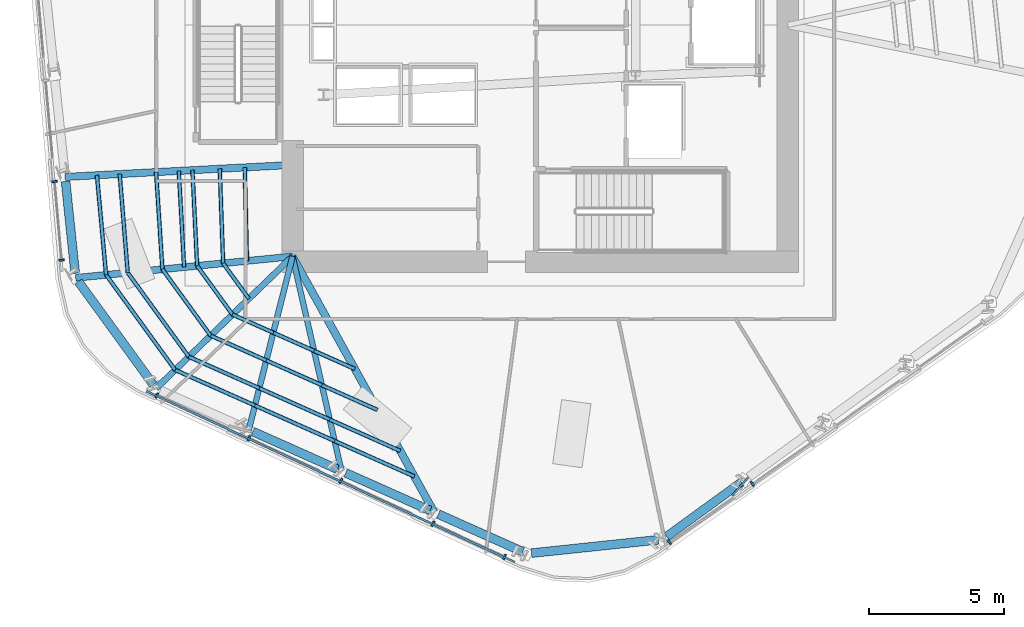
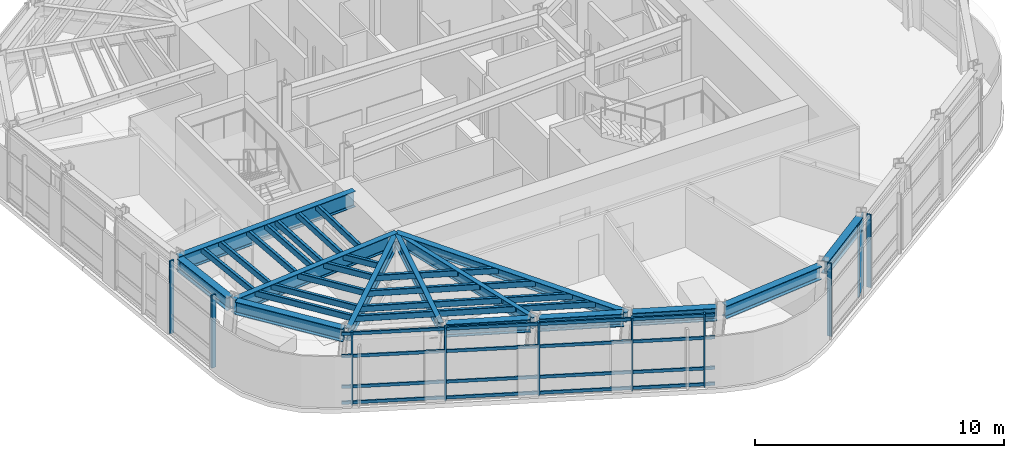
# One storey, part 2 of 14: 38 members, 13 beams, 3 elements without a shape of their own.
"""IFC4 building model written with IfcOpenShell, lengths in metres."""

from ifc_helpers import new_model, si_unit, direction, frame, origin, origin_2d, place, context, subcontext, project, spatial, rectangle, hollow_rectangle, i_section, extrude, material, layer, layer_set, material_profile, profile_set, type_object, element, aggregate, save


model = new_model("IFC4")

# Units and contexts
model_context = context("Model", 3, precision=1e-05, world=origin(), true_north=direction((0.0, 1.0)))
body_context = subcontext(model_context, "Body", "Model", "MODEL_VIEW")
ifc_project = project(units=[si_unit("LENGTHUNIT", "METRE"), si_unit("AREAUNIT", "SQUARE_METRE"), si_unit("VOLUMEUNIT", "CUBIC_METRE"), si_unit("PLANEANGLEUNIT", "RADIAN"), si_unit("MASSUNIT", "GRAM", prefix="KILO")], contexts=[model_context])

# Site, building, storey
site_placement = place(None, origin())
site = spatial("IfcSite", under=ifc_project, at=site_placement, CompositionType="ELEMENT")
building_placement = place(site_placement, origin())
building = spatial("IfcBuilding", under=site, at=building_placement, Name="Valkerne Bourse Tower", CompositionType="ELEMENT")
storey_placement = place(building_placement, frame((0.0, 0.0, 174.199951171875)))
storey = spatial("IfcBuildingStorey", under=building, at=storey_placement, Name="L44", CompositionType="ELEMENT", Elevation=174.199951171875)

# Beams
ifc_material_1 = material(Name="Steel ASTM A992", Category="steel")
ifc_material_profile_1 = material_profile(ifc_material_1, i_section(OverallWidth=0.279296875, OverallDepth=0.46240234375, WebThickness=0.0107421875, FlangeThickness=0.017333984375, FilletRadius=0.017822265625, at=origin_2d()), Name="W18X76")
ifc_profile_set_1 = profile_set([ifc_material_profile_1], Name="Steel ASTM A992")
beam_type_1 = type_object("IfcBeamType", Name="BM-W18X76", PredefinedType="BEAM", material=ifc_profile_set_1)
beam_1_placement = place(storey_placement, frame((42.865478515625, 8.8916015625, 3.348876953125), z_axis=(-0.484446671628, 0.874820794419, 0.0), x_axis=(-0.874820794419, -0.484446671628, 0.0)))
element("IfcBeam", 1, at=beam_1_placement, inside=storey, type_object=beam_type_1, Name="L44 Radial Composite Floor Beam 18", PredefinedType="BEAM", context=body_context, shape_type="SweptSolid", body=[
    extrude(i_section(OverallWidth=0.279296875, OverallDepth=0.46240234375, WebThickness=0.0107421875, FlangeThickness=0.017333984375, FilletRadius=0.017822265625, at=origin_2d()), origin(), (0.0, 0.0, 1.0), 10.868896484375),
])
ifc_material_profile_2 = material_profile(ifc_material_1, i_section(OverallWidth=0.209228515625, OverallDepth=0.533447265625, WebThickness=0.01025390625, FlangeThickness=0.015625, FilletRadius=0.017822265625, at=origin_2d()), Name="W21X62")
ifc_profile_set_2 = profile_set([ifc_material_profile_2], Name="Steel ASTM A992")
beam_type_2 = type_object("IfcBeamType", Name="BM-W21X62", PredefinedType="JOIST", material=ifc_profile_set_2)
beam_2_placement = place(storey_placement, frame((39.42041015625, 10.42529296875, 3.313232421875), z_axis=(-0.222539520033, 0.974923669845, 0.0), x_axis=(-0.974923669845, -0.222539520033, 0.0)))
element("IfcBeam", 2, at=beam_2_placement, inside=storey, type_object=beam_type_2, Name="L44 Radial Composite Floor Beam 17", PredefinedType="JOIST", context=body_context, shape_type="SweptSolid", body=[
    extrude(i_section(OverallWidth=0.209228515625, OverallDepth=0.533447265625, WebThickness=0.01025390625, FlangeThickness=0.015625, FilletRadius=0.017822265625, at=origin_2d()), origin(), (0.0, 0.0, 1.0), 8.1796875),
])
ifc_material_profile_3 = material_profile(ifc_material_1, i_section(OverallWidth=0.2138671875, OverallDepth=0.548583984375, WebThickness=0.0146484375, FlangeThickness=0.023681640625, FilletRadius=0.017822265625, at=origin_2d()), Name="W21X93")
ifc_profile_set_3 = profile_set([ifc_material_profile_3], Name="Steel ASTM A992")
beam_type_3 = type_object("IfcBeamType", Name="BM-W21X93", PredefinedType="BEAM", material=ifc_profile_set_3)
beam_3_placement = place(storey_placement, frame((35.9755859375, 11.958984375, 3.3056640625), z_axis=(0.244558709494, 0.969634486604, 0.0), x_axis=(-0.969634486604, 0.244558709494, 0.0)))
element("IfcBeam", 3, at=beam_3_placement, inside=storey, type_object=beam_type_3, Name="L44 Radial Composite Floor Beam 16", PredefinedType="BEAM", context=body_context, shape_type="SweptSolid", body=[
    extrude(i_section(OverallWidth=0.2138671875, OverallDepth=0.548583984375, WebThickness=0.0146484375, FlangeThickness=0.023681640625, FilletRadius=0.017822265625, at=origin_2d()), origin(), (0.0, 0.0, 1.0), 6.642578125),
])
ifc_material_profile_4 = material_profile(ifc_material_1, i_section(OverallWidth=0.32763671875, OverallDepth=0.62744140625, WebThickness=0.0166015625, FlangeThickness=0.027587890625, FilletRadius=0.020263671875, at=origin_2d()), Name="W24X146")
ifc_profile_set_4 = profile_set([ifc_material_profile_4], Name="Steel ASTM A992")
beam_type_4 = type_object("IfcBeamType", Name="BM-W24X146", PredefinedType="SPANDREL", material=ifc_profile_set_4)
beam_4_placement = place(storey_placement, frame((29.168212890625, 21.18408203125, 3.266357421875), z_axis=(0.104462529499, -0.994528823077, 0.0), x_axis=(0.994528823077, 0.104462529499, 0.0)))
element("IfcBeam", 4, at=beam_4_placement, inside=storey, type_object=beam_type_4, Name="L44 Hexagonal Spandrel Ring Beam 13", PredefinedType="SPANDREL", context=body_context, shape_type="SweptSolid", body=[
    extrude(i_section(OverallWidth=0.32763671875, OverallDepth=0.62744140625, WebThickness=0.0166015625, FlangeThickness=0.027587890625, FilletRadius=0.020263671875, at=origin_2d()), origin(), (0.0, 0.0, 1.0), 3.430908203125),
])
beam_5_placement = place(storey_placement, frame((29.644287109375, 17.46533203125, 3.266357421875), z_axis=(0.587801094401, -0.809005484172, 0.0), x_axis=(0.809005484172, 0.587801094401, 0.0)))
element("IfcBeam", 5, at=beam_5_placement, inside=storey, type_object=beam_type_4, Name="L44 Hexagonal Spandrel Ring Beam 14", PredefinedType="SPANDREL", context=body_context, shape_type="SweptSolid", body=[
    extrude(i_section(OverallWidth=0.32763671875, OverallDepth=0.62744140625, WebThickness=0.0166015625, FlangeThickness=0.027587890625, FilletRadius=0.020263671875, at=origin_2d()), origin(), (0.0, 0.0, 1.0), 4.740234375),
])
beam_6_placement = place(storey_placement, frame((36.130859375, 11.889892578125, 3.266357421875), z_axis=(0.913541382067, -0.406745796845, 0.0), x_axis=(0.406745796845, 0.913541382067, 0.0)))
element("IfcBeam", 6, at=beam_6_placement, inside=storey, type_object=beam_type_4, Name="L44 Hexagonal Spandrel Ring Beam 16", PredefinedType="SPANDREL", context=body_context, shape_type="SweptSolid", body=[
    extrude(i_section(OverallWidth=0.32763671875, OverallDepth=0.62744140625, WebThickness=0.0166015625, FlangeThickness=0.027587890625, FilletRadius=0.020263671875, at=origin_2d()), origin(), (0.0, 0.0, 1.0), 3.430908203125),
])
beam_7_placement = place(storey_placement, frame((39.57568359375, 10.356201171875, 3.266357421875), z_axis=(0.913553153644, -0.406719357133, 0.0), x_axis=(0.406719357133, 0.913553153644, 0.0)))
element("IfcBeam", 7, at=beam_7_placement, inside=storey, type_object=beam_type_4, Name="L44 Hexagonal Spandrel Ring Beam 17", PredefinedType="SPANDREL", context=body_context, shape_type="SweptSolid", body=[
    extrude(i_section(OverallWidth=0.32763671875, OverallDepth=0.62744140625, WebThickness=0.0166015625, FlangeThickness=0.027587890625, FilletRadius=0.020263671875, at=origin_2d()), origin(), (0.0, 0.0, 1.0), 3.43115234375),
])
beam_8_placement = place(storey_placement, frame((43.020751953125, 8.822509765625, 3.266357421875), z_axis=(0.913514939642, -0.406805180708, 0.0), x_axis=(0.406805180708, 0.913514939642, 0.0)))
element("IfcBeam", 8, at=beam_8_placement, inside=storey, type_object=beam_type_4, Name="L44 Hexagonal Spandrel Ring Beam 18", PredefinedType="SPANDREL", context=body_context, shape_type="SweptSolid", body=[
    extrude(i_section(OverallWidth=0.32763671875, OverallDepth=0.62744140625, WebThickness=0.0166015625, FlangeThickness=0.027587890625, FilletRadius=0.020263671875, at=origin_2d()), origin(), (0.0, 0.0, 1.0), 3.430908203125),
])
beam_9_placement = place(storey_placement, frame((46.4794921875, 7.37548828125, 3.266357421875), z_axis=(0.994524345655, 0.10450514772, 0.0), x_axis=(-0.10450514772, 0.994524345655, 0.0)))
element("IfcBeam", 9, at=beam_9_placement, inside=storey, type_object=beam_type_4, Name="L44 Hexagonal Spandrel Ring Beam 19", PredefinedType="SPANDREL", context=body_context, shape_type="SweptSolid", body=[
    extrude(i_section(OverallWidth=0.32763671875, OverallDepth=0.62744140625, WebThickness=0.0166015625, FlangeThickness=0.027587890625, FilletRadius=0.020263671875, at=origin_2d()), origin(), (0.0, 0.0, 1.0), 4.739990234375),
])
beam_10_placement = place(storey_placement, frame((51.500244140625, 7.988525390625, 3.266357421875), z_axis=(0.808985253914, 0.587828936809, 0.0), x_axis=(-0.587828936809, 0.808985253914, 0.0)))
element("IfcBeam", 10, at=beam_10_placement, inside=storey, type_object=beam_type_4, Name="L44 Hexagonal Spandrel Ring Beam 20", PredefinedType="SPANDREL", context=body_context, shape_type="SweptSolid", body=[
    extrude(i_section(OverallWidth=0.32763671875, OverallDepth=0.62744140625, WebThickness=0.0166015625, FlangeThickness=0.027587890625, FilletRadius=0.020263671875, at=origin_2d()), origin(), (0.0, 0.0, 1.0), 3.430908203125),
])
ifc_material_profile_5 = material_profile(ifc_material_1, i_section(OverallWidth=0.228271484375, OverallDepth=0.607177734375, WebThickness=0.01123046875, FlangeThickness=0.017333984375, FilletRadius=0.017822265625, at=origin_2d()), Name="W24X76")
ifc_profile_set_5 = profile_set([ifc_material_profile_5], Name="Steel ASTM A992")
beam_type_5 = type_object("IfcBeamType", Name="BM-W24X76", PredefinedType="JOIST", material=ifc_profile_set_5)
beam_11_placement = place(storey_placement, frame((32.530517578125, 13.492919921875, 3.2763671875), z_axis=(0.718535758333, 0.69549001718, 0.0), x_axis=(-0.69549001718, 0.718535758333, 0.0)))
element("IfcBeam", 11, at=beam_11_placement, inside=storey, type_object=beam_type_5, Name="L44 Radial Composite Floor Beam 15", PredefinedType="JOIST", context=body_context, shape_type="SweptSolid", body=[
    extrude(i_section(OverallWidth=0.228271484375, OverallDepth=0.607177734375, WebThickness=0.01123046875, FlangeThickness=0.017333984375, FilletRadius=0.017822265625, at=origin_2d()), origin(), (0.0, 0.0, 1.0), 7.055419921875),
])
ifc_material_profile_6 = material_profile(ifc_material_1, i_section(OverallWidth=0.255859375, OverallDepth=0.693359375, WebThickness=0.014404296875, FlangeThickness=0.023681640625, FilletRadius=0.02294921875, at=origin_2d()), Name="W27X114")
ifc_profile_set_6 = profile_set([ifc_material_profile_6], Name="Steel ASTM A992")
beam_type_6 = type_object("IfcBeamType", Name="BM-W27X114", PredefinedType="BEAM", material=ifc_profile_set_6)
beam_12_placement = place(storey_placement, frame((29.54443359375, 17.602783203125, 3.2333984375), z_axis=(0.995139972197, 0.09847048155, 0.0), x_axis=(-0.09847048155, 0.995139972197, 0.0)))
element("IfcBeam", 12, at=beam_12_placement, inside=storey, type_object=beam_type_6, Name="L44 Radial Composite Floor Beam 14", PredefinedType="BEAM", context=body_context, shape_type="SweptSolid", body=[
    extrude(i_section(OverallWidth=0.255859375, OverallDepth=0.693359375, WebThickness=0.014404296875, FlangeThickness=0.023681640625, FilletRadius=0.02294921875, at=origin_2d()), origin(), (0.0, 0.0, 1.0), 8.094970703125),
])
ifc_material_profile_7 = material_profile(ifc_material_1, i_section(OverallWidth=0.26806640625, OverallDepth=0.76953125, WebThickness=0.015625, FlangeThickness=0.025390625, FilletRadius=0.025390625, at=origin_2d()), Name="W30X132")
ifc_profile_set_7 = profile_set([ifc_material_profile_7], Name="Steel ASTM A992")
beam_type_7 = type_object("IfcBeamType", Name="BM-W30X132", PredefinedType="BEAM", material=ifc_profile_set_7)
beam_13_placement = place(storey_placement, frame((29.150390625, 21.353271484375, 3.1953125), z_axis=(0.998605047195, 0.052801133671, 0.0), x_axis=(-0.052801133671, 0.998605047195, 0.0)))
element("IfcBeam", 13, at=beam_13_placement, inside=storey, type_object=beam_type_7, Name="L44 Radial Composite Floor Beam 13", PredefinedType="BEAM", context=body_context, shape_type="SweptSolid", body=[
    extrude(i_section(OverallWidth=0.26806640625, OverallDepth=0.76953125, WebThickness=0.015625, FlangeThickness=0.025390625, FilletRadius=0.025390625, at=origin_2d()), origin(), (0.0, 0.0, 1.0), 8.46142578125),
])

# Curtain wall, members
ifc_material_2 = material(Name="Aluminium AA 6063-T6", Category="aluminium")
ifc_layer = layer(ifc_material_2, 0.235107421875)
ifc_layer_set = layer_set([ifc_layer], Name="Aluminium AA 6063-T6")
curtain_wall_type = type_object("IfcCurtainWallType", Name="CW-03", PredefinedType="NOTDEFINED", material=ifc_layer_set)
curtain_wall_1_placement = place(storey_placement, origin())
curtain_wall_1 = element("IfcCurtainWall", 14, at=curtain_wall_1_placement, inside=storey, type_object=curtain_wall_type, Name="L44 Hexagonal Stick Curtain Wall Face 3", PredefinedType="NOTDEFINED")
ifc_material_profile_8 = material_profile(ifc_material_2, rectangle(XDim=0.074951171875, YDim=0.199951171875, at=origin_2d()), Name="CWM-75X200")
ifc_profile_set_8 = profile_set([ifc_material_profile_8], Name="Aluminium AA 6063-T6")
member_type_1 = type_object("IfcMemberType", Name="CW-MUL-220X75", PredefinedType="MULLION", material=ifc_profile_set_8)
member_1_placement = place(storey_placement, frame((28.762451171875, 21.1826171875, 0.0), z_axis=(0.0, 0.0, 1.0), x_axis=(0.088888247408, -0.996041605292, 0.0)))
member_1 = element("IfcMember", 15, at=member_1_placement, type_object=member_type_1, Name="CW-L44-F3 Jamb Mullion 03A", PredefinedType="MULLION", context=body_context, shape_type="SweptSolid", body=[
    extrude(rectangle(XDim=0.074951171875, YDim=0.199951171875, at=origin_2d()), origin(), (0.0, 0.0, 1.0), 3.580078125),
])
member_2_placement = place(storey_placement, frame((29.02294921875, 18.26318359375, 0.0), z_axis=(0.0, 0.0, 1.0), x_axis=(0.088888247408, -0.996041605292, 0.0)))
member_2 = element("IfcMember", 16, at=member_2_placement, type_object=member_type_1, Name="CW-L44-F3 Jamb Mullion 03B", PredefinedType="MULLION", context=body_context, shape_type="SweptSolid", body=[
    extrude(rectangle(XDim=0.074951171875, YDim=0.199951171875, at=origin_2d()), origin(), (0.0, 0.0, 1.0), 3.580078125),
])
aggregate(curtain_wall_1, [member_1, member_2])

curtain_wall_2_placement = place(storey_placement, origin())
curtain_wall_2 = element("IfcCurtainWall", 17, at=curtain_wall_2_placement, inside=storey, type_object=curtain_wall_type, Name="L44 Hexagonal Stick Curtain Wall Face 4", PredefinedType="NOTDEFINED")
member_3_placement = place(storey_placement, frame((32.557861328125, 13.2333984375, 0.0), z_axis=(0.0, 0.0, 1.0), x_axis=(0.907048392955, -0.421026380215, 0.0)))
member_3 = element("IfcMember", 18, at=member_3_placement, type_object=member_type_1, Name="CW-L44-F4 Jamb Mullion 00A", PredefinedType="MULLION", context=body_context, shape_type="SweptSolid", body=[
    extrude(rectangle(XDim=0.074951171875, YDim=0.199951171875, at=origin_2d()), origin(), (0.0, 0.0, 1.0), 3.580078125),
])
member_4_placement = place(storey_placement, frame((35.978515625, 11.645751953125, 0.0), z_axis=(0.0, 0.0, 1.0), x_axis=(0.90704369212, -0.421036507426, 0.0)))
member_4 = element("IfcMember", 19, at=member_4_placement, type_object=member_type_1, Name="CW-L44-F4 Jamb Mullion 01A", PredefinedType="MULLION", context=body_context, shape_type="SweptSolid", body=[
    extrude(rectangle(XDim=0.074951171875, YDim=0.199951171875, at=origin_2d()), origin(), (0.0, 0.0, 1.0), 3.580078125),
])
member_5_placement = place(storey_placement, frame((39.398681640625, 10.05810546875, 0.0), z_axis=(0.0, 0.0, 1.0), x_axis=(0.907048392955, -0.421026380215, 0.0)))
member_5 = element("IfcMember", 20, at=member_5_placement, type_object=member_type_1, Name="CW-L44-F4 Jamb Mullion 02A", PredefinedType="MULLION", context=body_context, shape_type="SweptSolid", body=[
    extrude(rectangle(XDim=0.074951171875, YDim=0.199951171875, at=origin_2d()), origin(), (0.0, 0.0, 1.0), 3.580078125),
])
member_6_placement = place(storey_placement, frame((42.8193359375, 8.470458984375, 0.0), z_axis=(0.0, 0.0, 1.0), x_axis=(0.907038265814, -0.42104819718, 0.0)))
member_6 = element("IfcMember", 21, at=member_6_placement, type_object=member_type_1, Name="CW-L44-F4 Jamb Mullion 03A", PredefinedType="MULLION", context=body_context, shape_type="SweptSolid", body=[
    extrude(rectangle(XDim=0.074951171875, YDim=0.199951171875, at=origin_2d()), origin(), (0.0, 0.0, 1.0), 3.580078125),
])
member_7_placement = place(storey_placement, frame((45.477783203125, 7.236083984375, 0.0), z_axis=(0.0, 0.0, 1.0), x_axis=(0.907038265814, -0.42104819718, 0.0)))
member_7 = element("IfcMember", 22, at=member_7_placement, type_object=member_type_1, Name="CW-L44-F4 Jamb Mullion 03B", PredefinedType="MULLION", context=body_context, shape_type="SweptSolid", body=[
    extrude(rectangle(XDim=0.074951171875, YDim=0.199951171875, at=origin_2d()), origin(), (0.0, 0.0, 1.0), 3.580078125),
])

curtain_wall_3_placement = place(storey_placement, origin())
curtain_wall_3 = element("IfcCurtainWall", 23, at=curtain_wall_3_placement, inside=storey, type_object=curtain_wall_type, Name="L44 Hexagonal Stick Curtain Wall Face 5", PredefinedType="NOTDEFINED")
member_8_placement = place(storey_placement, frame((51.60107421875, 7.78271484375, 0.0), z_axis=(0.0, 0.0, 1.0), x_axis=(0.818139097953, 0.575020361728, 0.0)))
member_8 = element("IfcMember", 24, at=member_8_placement, type_object=member_type_1, Name="CW-L44-F5 Jamb Mullion 00A", PredefinedType="MULLION", context=body_context, shape_type="SweptSolid", body=[
    extrude(rectangle(XDim=0.074951171875, YDim=0.199951171875, at=origin_2d()), origin(), (0.0, 0.0, 1.0), 3.580078125),
])
member_9_placement = place(storey_placement, frame((54.686279296875, 9.951171875, 0.0), z_axis=(0.0, 0.0, 1.0), x_axis=(0.818160340843, 0.574990136151, 0.0)))
member_9 = element("IfcMember", 25, at=member_9_placement, type_object=member_type_1, Name="CW-L44-F5 Jamb Mullion 01A", PredefinedType="MULLION", context=body_context, shape_type="SweptSolid", body=[
    extrude(rectangle(XDim=0.074951171875, YDim=0.199951171875, at=origin_2d()), origin(), (0.0, 0.0, 1.0), 3.580078125),
])
aggregate(curtain_wall_3, [member_8, member_9])

# Member
ifc_material_profile_9 = material_profile(ifc_material_2, rectangle(XDim=0.074951171875, YDim=0.14990234375, at=origin_2d()), Name="CWT-75X150")
ifc_profile_set_9 = profile_set([ifc_material_profile_9], Name="Aluminium AA 6063-T6")
member_type_2 = type_object("IfcMemberType", Name="CW-TRN-180X65", PredefinedType="USERDEFINED", material=ifc_profile_set_9)
member_10_placement = place(storey_placement, frame((32.16845703125, 13.39208984375, 0.1201171875), z_axis=(0.907046277236, -0.421030938237, 0.0), x_axis=(0.421030938237, 0.907046277236, 0.0)))
member_10 = element("IfcMember", 26, at=member_10_placement, type_object=member_type_2, Name="CW-L44-F4 Continuous Face Transom 1", ObjectType="TRANSOM", PredefinedType="USERDEFINED", context=body_context, shape_type="SweptSolid", body=[
    extrude(rectangle(XDim=0.074951171875, YDim=0.14990234375, at=origin_2d()), origin(), (0.0, 0.0, 1.0), 15.083984375),
])

member_11_placement = place(storey_placement, frame((32.16845703125, 13.39208984375, 0.900146484375), z_axis=(0.907046277236, -0.421030938237, 0.0), x_axis=(0.421030938237, 0.907046277236, 0.0)))
member_11 = element("IfcMember", 27, at=member_11_placement, type_object=member_type_2, Name="CW-L44-F4 Continuous Face Transom 2", ObjectType="TRANSOM", PredefinedType="USERDEFINED", context=body_context, shape_type="SweptSolid", body=[
    extrude(rectangle(XDim=0.074951171875, YDim=0.14990234375, at=origin_2d()), origin(), (0.0, 0.0, 1.0), 15.083984375),
])

member_12_placement = place(storey_placement, frame((32.16845703125, 13.39208984375, 2.400146484375), z_axis=(0.907046277236, -0.421030938237, 0.0), x_axis=(0.421030938237, 0.907046277236, 0.0)))
member_12 = element("IfcMember", 28, at=member_12_placement, type_object=member_type_2, Name="CW-L44-F4 Continuous Face Transom 3", ObjectType="TRANSOM", PredefinedType="USERDEFINED", context=body_context, shape_type="SweptSolid", body=[
    extrude(rectangle(XDim=0.074951171875, YDim=0.14990234375, at=origin_2d()), origin(), (0.0, 0.0, 1.0), 15.083984375),
])

member_13_placement = place(storey_placement, frame((32.16845703125, 13.39208984375, 3.5), z_axis=(0.907046277236, -0.421030938237, 0.0), x_axis=(0.421030938237, 0.907046277236, 0.0)))
member_13 = element("IfcMember", 29, at=member_13_placement, type_object=member_type_2, Name="CW-L44-F4 Continuous Face Transom 4", ObjectType="TRANSOM", PredefinedType="USERDEFINED", context=body_context, shape_type="SweptSolid", body=[
    extrude(rectangle(XDim=0.074951171875, YDim=0.14990234375, at=origin_2d()), origin(), (0.0, 0.0, 1.0), 15.083984375),
])

aggregate(curtain_wall_2, [member_10, member_11, member_12, member_13, member_3, member_4, member_5, member_6, member_7])

# Members
ifc_material_3 = material(Name="Bronze Anodised Aluminium AA 6063-T6", Category="aluminium")
ifc_material_profile_10 = material_profile(ifc_material_3, rectangle(XDim=0.070068359375, YDim=0.89990234375, at=origin_2d()), Name="FIN-70X900")
ifc_profile_set_10 = profile_set([ifc_material_profile_10], Name="Bronze Anodised Aluminium AA 6063-T6")
member_type_3 = type_object("IfcMemberType", Name="FIN-SOLAR-900", PredefinedType="USERDEFINED", material=ifc_profile_set_10)
member_14_placement = place(storey_placement, frame((54.2392578125, 9.85693359375, 0.004150390625), z_axis=(0.0, 0.0, 1.0), x_axis=(0.752841131951, -0.658202271375, 0.0)))
element("IfcMember", 30, at=member_14_placement, inside=storey, type_object=member_type_3, Name="L44 Bronze Anodised Solar Fin F5-01", ObjectType="SOLAR_FIN", PredefinedType="USERDEFINED", context=body_context, shape_type="SweptSolid", body=[
    extrude(rectangle(XDim=0.070068359375, YDim=0.89990234375, at=origin_2d()), origin(), (0.0, 0.0, 1.0), 3.57177734375),
])
ifc_material_4 = material(Name="Steel ASTM A500 Grade C", Category="steel")
ifc_material_profile_11 = material_profile(ifc_material_4, hollow_rectangle(XDim=0.14990234375, YDim=0.300048828125, WallThickness=0.012451171875, OuterFilletRadius=0.02490234375, at=origin_2d()), Name="HSS300X150X12.5")
ifc_profile_set_11 = profile_set([ifc_material_profile_11], Name="Steel ASTM A500 Grade C")
member_type_4 = type_object("IfcMemberType", Name="MBR-HSS300X150X12.5", PredefinedType="PURLIN", material=ifc_profile_set_11)
member_15_placement = place(storey_placement, frame((34.89599609375, 21.656982421875, 3.420166015625), z_axis=(0.035917025993, -0.999354775465, 0.0), x_axis=(0.999354775465, 0.035917025993, 0.0)))
element("IfcMember", 31, at=member_15_placement, inside=storey, type_object=member_type_4, Name="L44 Secondary Composite Floor Purlin I-13", PredefinedType="PURLIN", context=body_context, shape_type="SweptSolid", body=[
    extrude(hollow_rectangle(XDim=0.14990234375, YDim=0.300048828125, WallThickness=0.012451171875, OuterFilletRadius=0.02490234375, at=origin_2d()), origin(), (0.0, 0.0, 1.0), 3.51416015625),
])
member_16_placement = place(storey_placement, frame((35.022216796875, 18.14501953125, 3.420166015625), z_axis=(0.587725187245, -0.80906063078, 0.0), x_axis=(0.80906063078, 0.587725187245, 0.0)))
element("IfcMember", 32, at=member_16_placement, inside=storey, type_object=member_type_4, Name="L44 Secondary Composite Floor Purlin I-14", PredefinedType="PURLIN", context=body_context, shape_type="SweptSolid", body=[
    extrude(hollow_rectangle(XDim=0.14990234375, YDim=0.300048828125, WallThickness=0.012451171875, OuterFilletRadius=0.02490234375, at=origin_2d()), origin(), (0.0, 0.0, 1.0), 1.6259765625),
])
member_17_placement = place(storey_placement, frame((33.882080078125, 21.603515625, 3.420166015625), z_axis=(0.048780983234, -0.998809499191, 0.0), x_axis=(0.998809499191, 0.048780983234, 0.0)))
element("IfcMember", 33, at=member_17_placement, inside=storey, type_object=member_type_4, Name="L44 Secondary Composite Floor Purlin K-13", PredefinedType="PURLIN", context=body_context, shape_type="SweptSolid", body=[
    extrude(hollow_rectangle(XDim=0.14990234375, YDim=0.300048828125, WallThickness=0.012451171875, OuterFilletRadius=0.02490234375, at=origin_2d()), origin(), (0.0, 0.0, 1.0), 3.558349609375),
])
member_18_placement = place(storey_placement, frame((34.0556640625, 18.04931640625, 3.420166015625), z_axis=(0.587749470682, -0.809042990028, 0.0), x_axis=(0.809042990028, 0.587749470682, 0.0)))
element("IfcMember", 34, at=member_18_placement, inside=storey, type_object=member_type_4, Name="L44 Secondary Composite Floor Purlin K-14", PredefinedType="PURLIN", context=body_context, shape_type="SweptSolid", body=[
    extrude(hollow_rectangle(XDim=0.14990234375, YDim=0.300048828125, WallThickness=0.012451171875, OuterFilletRadius=0.02490234375, at=origin_2d()), origin(), (0.0, 0.0, 1.0), 2.235107421875),
])
member_19_placement = place(storey_placement, frame((35.369384765625, 16.240966796875, 3.420166015625), z_axis=(0.913514015456, -0.406807256038, 0.0), x_axis=(0.406807256038, 0.913514015456, 0.0)))
element("IfcMember", 35, at=member_19_placement, inside=storey, type_object=member_type_4, Name="L44 Secondary Composite Floor Purlin K-15", PredefinedType="PURLIN", context=body_context, shape_type="SweptSolid", body=[
    extrude(hollow_rectangle(XDim=0.14990234375, YDim=0.300048828125, WallThickness=0.012451171875, OuterFilletRadius=0.02490234375, at=origin_2d()), origin(), (0.0, 0.0, 1.0), 1.659423828125),
])
for number, where, z_axis, x_axis, name in (
    (36, (36.88525390625, 15.56591796875, 3.420166015625), (0.913544346472, -0.406739138797, 0.0), (0.406739138797, 0.913544346472, 0.0), "L44 Secondary Composite Floor Purlin K-16"),
    (37, (38.40087890625, 14.89111328125, 3.420166015625), (0.913568686568, -0.406684466045, 0.0), (0.406684466045, 0.913568686568, 0.0), "L44 Secondary Composite Floor Purlin K-17"),
):
    element("IfcMember", number, at=place(storey_placement, frame(where, z_axis=z_axis, x_axis=x_axis)), inside=storey, type_object=member_type_4, Name=name, PredefinedType="PURLIN", context=body_context, shape_type="SweptSolid", body=[
        extrude(hollow_rectangle(XDim=0.14990234375, YDim=0.300048828125, WallThickness=0.012451171875, OuterFilletRadius=0.02490234375, at=origin_2d()), origin(), (0.0, 0.0, 1.0), 1.6591796875),
    ])
member_20_placement = place(storey_placement, frame((33.375244140625, 21.57666015625, 3.420166015625), z_axis=(0.055024406097, -0.998485009769, 0.0), x_axis=(0.998485009769, 0.055024406097, 0.0)))
element("IfcMember", 38, at=member_20_placement, inside=storey, type_object=member_type_4, Name="L44 Secondary Composite Floor Purlin M-13", PredefinedType="PURLIN", context=body_context, shape_type="SweptSolid", body=[
    extrude(hollow_rectangle(XDim=0.14990234375, YDim=0.300048828125, WallThickness=0.012451171875, OuterFilletRadius=0.02490234375, at=origin_2d()), origin(), (0.0, 0.0, 1.0), 3.58056640625),
])
member_21_placement = place(storey_placement, frame((31.17822265625, 21.46044921875, 3.420166015625), z_axis=(0.081436013037, -0.996678571948, 0.0), x_axis=(0.996678571948, 0.081436013037, 0.0)))
element("IfcMember", 39, at=member_21_placement, inside=storey, type_object=member_type_4, Name="L44 Secondary Composite Floor Purlin O-13", PredefinedType="PURLIN", context=body_context, shape_type="SweptSolid", body=[
    extrude(hollow_rectangle(XDim=0.14990234375, YDim=0.300048828125, WallThickness=0.012451171875, OuterFilletRadius=0.02490234375, at=origin_2d()), origin(), (0.0, 0.0, 1.0), 3.678466796875),
])
member_22_placement = place(storey_placement, frame((31.477783203125, 17.794189453125, 3.420166015625), z_axis=(0.587810700304, -0.8089985047, 0.0), x_axis=(0.8089985047, 0.587810700304, 0.0)))
element("IfcMember", 40, at=member_22_placement, inside=storey, type_object=member_type_4, Name="L44 Secondary Composite Floor Purlin O-14", PredefinedType="PURLIN", context=body_context, shape_type="SweptSolid", body=[
    extrude(hollow_rectangle(XDim=0.14990234375, YDim=0.300048828125, WallThickness=0.012451171875, OuterFilletRadius=0.02490234375, at=origin_2d()), origin(), (0.0, 0.0, 1.0), 3.861083984375),
])
for number, where, z_axis, x_axis, name in (
    (41, (33.747314453125, 14.670654296875, 3.420166015625), (0.913533822395, -0.406762775264, 0.0), (0.406762775264, 0.913533822395, 0.0), "L44 Secondary Composite Floor Purlin O-15"),
    (42, (36.365478515625, 13.5048828125, 3.420166015625), (0.913533822395, -0.406762775264, 0.0), (0.406762775264, 0.913533822395, 0.0), "L44 Secondary Composite Floor Purlin O-16"),
    (43, (38.983642578125, 12.339111328125, 3.420166015625), (0.913565475094, -0.406691680166, 0.0), (0.406691680166, 0.913565475094, 0.0), "L44 Secondary Composite Floor Purlin O-17"),
):
    element("IfcMember", number, at=place(storey_placement, frame(where, z_axis=z_axis, x_axis=x_axis)), inside=storey, type_object=member_type_4, Name=name, PredefinedType="PURLIN", context=body_context, shape_type="SweptSolid", body=[
        extrude(hollow_rectangle(XDim=0.14990234375, YDim=0.300048828125, WallThickness=0.012451171875, OuterFilletRadius=0.02490234375, at=origin_2d()), origin(), (0.0, 0.0, 1.0), 2.865966796875),
    ])
member_23_placement = place(storey_placement, frame((32.5302734375, 21.531982421875, 3.420166015625), z_axis=(0.065318690259, -0.997864454073, 0.0), x_axis=(0.997864454073, 0.065318690259, 0.0)))
element("IfcMember", 44, at=member_23_placement, inside=storey, type_object=member_type_4, Name="L44 Secondary Composite Floor Purlin Z-13", PredefinedType="PURLIN", context=body_context, shape_type="SweptSolid", body=[
    extrude(hollow_rectangle(XDim=0.14990234375, YDim=0.300048828125, WallThickness=0.012451171875, OuterFilletRadius=0.02490234375, at=origin_2d()), origin(), (0.0, 0.0, 1.0), 3.6181640625),
])
member_24_placement = place(storey_placement, frame((32.7666015625, 17.921630859375, 3.420166015625), z_axis=(0.587833506104, -0.80898193373, 0.0), x_axis=(0.80898193373, 0.587833506104, 0.0)))
element("IfcMember", 45, at=member_24_placement, inside=storey, type_object=member_type_4, Name="L44 Secondary Composite Floor Purlin Z-14", PredefinedType="PURLIN", context=body_context, shape_type="SweptSolid", body=[
    extrude(hollow_rectangle(XDim=0.14990234375, YDim=0.300048828125, WallThickness=0.012451171875, OuterFilletRadius=0.02490234375, at=origin_2d()), origin(), (0.0, 0.0, 1.0), 3.048095703125),
])
member_25_placement = place(storey_placement, frame((34.558349609375, 15.455810546875, 3.420166015625), z_axis=(0.913517632091, -0.406799134536, 0.0), x_axis=(0.406799134536, 0.913517632091, 0.0)))
element("IfcMember", 46, at=member_25_placement, inside=storey, type_object=member_type_4, Name="L44 Secondary Composite Floor Purlin Z-15", PredefinedType="PURLIN", context=body_context, shape_type="SweptSolid", body=[
    extrude(hollow_rectangle(XDim=0.14990234375, YDim=0.300048828125, WallThickness=0.012451171875, OuterFilletRadius=0.02490234375, at=origin_2d()), origin(), (0.0, 0.0, 1.0), 2.262451171875),
])
member_26_placement = place(storey_placement, frame((36.625244140625, 14.535400390625, 3.420166015625), z_axis=(0.913575575441, -0.406668990651, 0.0), x_axis=(0.406668990651, 0.913575575441, 0.0)))
element("IfcMember", 47, at=member_26_placement, inside=storey, type_object=member_type_4, Name="L44 Secondary Composite Floor Purlin Z-16", PredefinedType="PURLIN", context=body_context, shape_type="SweptSolid", body=[
    extrude(hollow_rectangle(XDim=0.14990234375, YDim=0.300048828125, WallThickness=0.012451171875, OuterFilletRadius=0.02490234375, at=origin_2d()), origin(), (0.0, 0.0, 1.0), 2.2626953125),
])
member_27_placement = place(storey_placement, frame((38.6923828125, 13.615234375, 3.420166015625), z_axis=(0.913517632091, -0.406799134536, 0.0), x_axis=(0.406799134536, 0.913517632091, 0.0)))
element("IfcMember", 48, at=member_27_placement, inside=storey, type_object=member_type_4, Name="L44 Secondary Composite Floor Purlin Z-17", PredefinedType="PURLIN", context=body_context, shape_type="SweptSolid", body=[
    extrude(hollow_rectangle(XDim=0.14990234375, YDim=0.300048828125, WallThickness=0.012451171875, OuterFilletRadius=0.02490234375, at=origin_2d()), origin(), (0.0, 0.0, 1.0), 2.262451171875),
])
member_28_placement = place(storey_placement, frame((35.82568359375, 21.706298828125, 3.420166015625), z_axis=(0.023749273673, -0.999717946223, 0.0), x_axis=(0.999717946223, 0.023749273673, 0.0)))
element("IfcMember", 49, at=member_28_placement, inside=storey, type_object=member_type_4, Name="L44 Secondary Composite Floor Purlin S-13", PredefinedType="PURLIN", context=body_context, shape_type="SweptSolid", body=[
    extrude(hollow_rectangle(XDim=0.14990234375, YDim=0.300048828125, WallThickness=0.012451171875, OuterFilletRadius=0.02490234375, at=origin_2d()), origin(), (0.0, 0.0, 1.0), 3.474609375),
])
member_29_placement = place(storey_placement, frame((30.333251953125, 21.415771484375, 3.420166015625), z_axis=(0.091234554446, -0.995829431216, 0.0), x_axis=(0.995829431216, 0.091234554446, 0.0)))
element("IfcMember", 50, at=member_29_placement, inside=storey, type_object=member_type_4, Name="L44 Secondary Composite Floor Purlin T-13", PredefinedType="PURLIN", context=body_context, shape_type="SweptSolid", body=[
    extrude(hollow_rectangle(XDim=0.14990234375, YDim=0.300048828125, WallThickness=0.012451171875, OuterFilletRadius=0.02490234375, at=origin_2d()), origin(), (0.0, 0.0, 1.0), 3.716796875),
])
member_30_placement = place(storey_placement, frame((30.67236328125, 17.71435546875, 3.420166015625), z_axis=(0.587779539909, -0.809021144634, 0.0), x_axis=(0.809021144634, 0.587779539909, 0.0)))
element("IfcMember", 51, at=member_30_placement, inside=storey, type_object=member_type_4, Name="L44 Secondary Composite Floor Purlin T-14", PredefinedType="PURLIN", context=body_context, shape_type="SweptSolid", body=[
    extrude(hollow_rectangle(XDim=0.14990234375, YDim=0.300048828125, WallThickness=0.012451171875, OuterFilletRadius=0.02490234375, at=origin_2d()), origin(), (0.0, 0.0, 1.0), 4.36865234375),
])
for number, where, z_axis, x_axis, name in (
    (52, (33.240234375, 14.179931640625, 3.420166015625), (0.913541264405, -0.406746061111, 0.0), (0.406746061111, 0.913541264405, 0.0), "L44 Secondary Composite Floor Purlin T-15"),
    (53, (36.202880859375, 12.86083984375, 3.420166015625), (0.913541264405, -0.406746061111, 0.0), (0.406746061111, 0.913541264405, 0.0), "L44 Secondary Composite Floor Purlin T-16"),
):
    element("IfcMember", number, at=place(storey_placement, frame(where, z_axis=z_axis, x_axis=x_axis)), inside=storey, type_object=member_type_4, Name=name, PredefinedType="PURLIN", context=body_context, shape_type="SweptSolid", body=[
        extrude(hollow_rectangle(XDim=0.14990234375, YDim=0.300048828125, WallThickness=0.012451171875, OuterFilletRadius=0.02490234375, at=origin_2d()), origin(), (0.0, 0.0, 1.0), 3.242919921875),
    ])
member_31_placement = place(storey_placement, frame((39.16552734375, 11.541748046875, 3.420166015625), z_axis=(0.913553717873, -0.406718089788, 0.0), x_axis=(0.406718089788, 0.913553717873, 0.0)))
element("IfcMember", 54, at=member_31_placement, inside=storey, type_object=member_type_4, Name="L44 Secondary Composite Floor Purlin T-17", PredefinedType="PURLIN", context=body_context, shape_type="SweptSolid", body=[
    extrude(hollow_rectangle(XDim=0.14990234375, YDim=0.300048828125, WallThickness=0.012451171875, OuterFilletRadius=0.02490234375, at=origin_2d()), origin(), (0.0, 0.0, 1.0), 3.2431640625),
])

save(model, "model.ifc")
